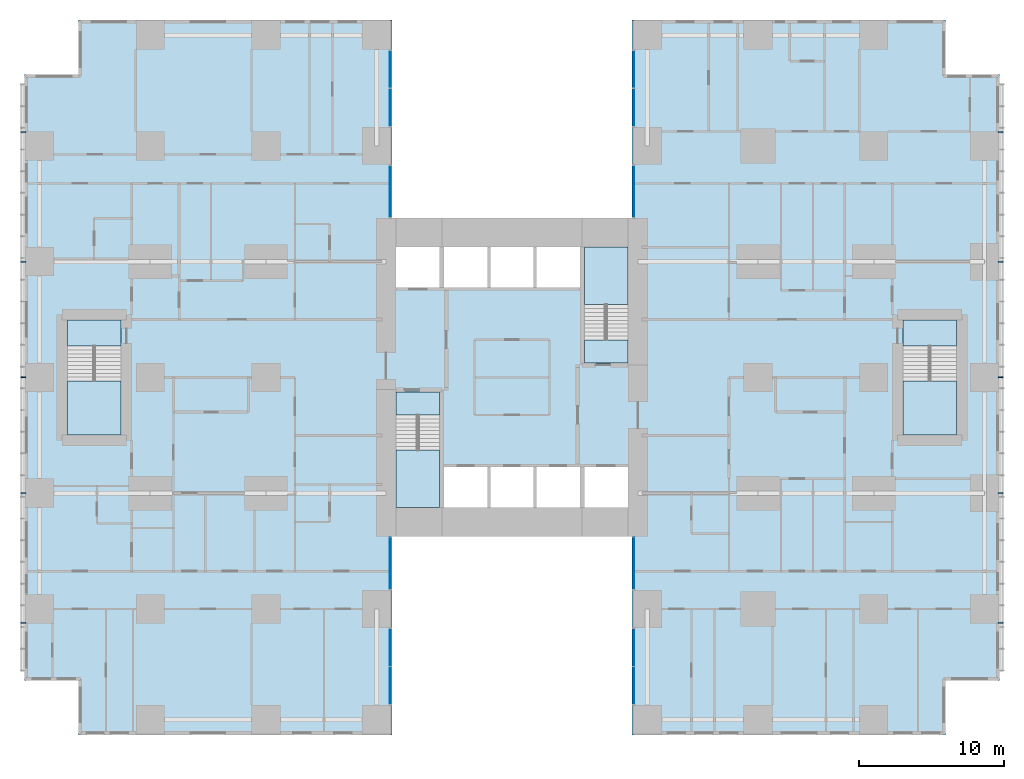
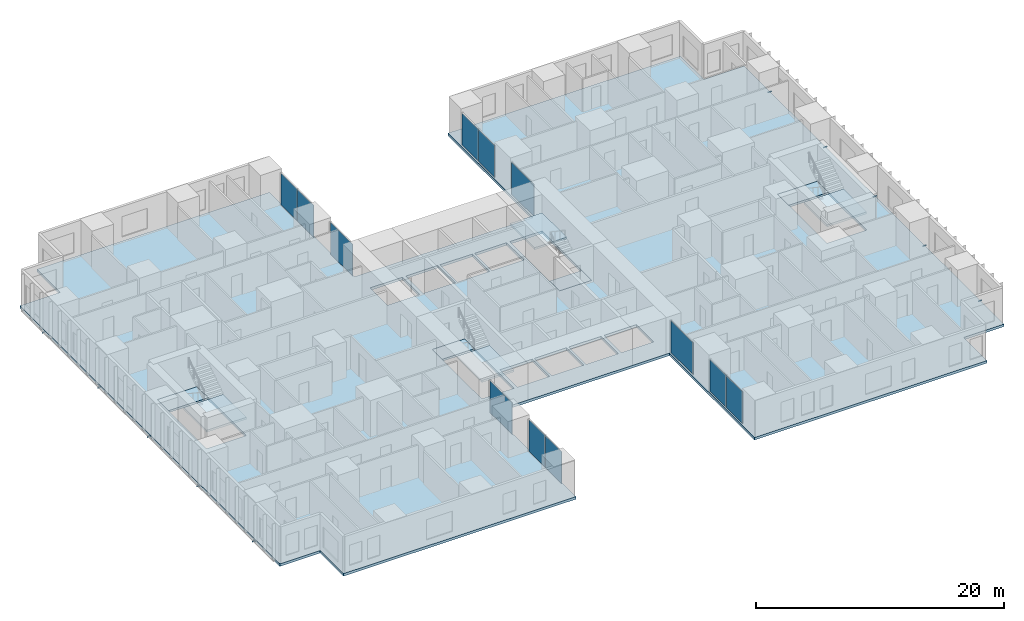
# One storey, part 7 of 20: 12 plates, 10 members, 9 slabs, 12 elements without a shape of their own.
"""IFC4 building model written with IfcOpenShell, lengths in metres."""

from ifc_helpers import new_model, si_unit, direction, frame, origin, origin_2d, place, context, subcontext, project, spatial, polyline, rectangle, hollow_rectangle, outline, extrude, material, layer, layer_set, material_profile, profile_set, type_object, element, aggregate, save


model = new_model("IFC4")

# Units and contexts
model_context = context("Model", 3, precision=1e-05, world=origin(), true_north=direction((0.0, 1.0)))
body_context = subcontext(model_context, "Body", "Model", "MODEL_VIEW")
ifc_project = project(units=[si_unit("LENGTHUNIT", "METRE"), si_unit("AREAUNIT", "SQUARE_METRE"), si_unit("VOLUMEUNIT", "CUBIC_METRE"), si_unit("PLANEANGLEUNIT", "RADIAN"), si_unit("MASSUNIT", "GRAM", prefix="KILO")], contexts=[model_context])

# Site, building, storey
site_placement = place(None, origin())
site = spatial("IfcSite", under=ifc_project, at=site_placement, CompositionType="ELEMENT")
building_placement = place(site_placement, origin())
building = spatial("IfcBuilding", under=site, at=building_placement, Name="Cleftline Residences", CompositionType="ELEMENT")
storey_placement = place(building_placement, frame((0.0, 0.0, 87.199951171875)))
storey = spatial("IfcBuildingStorey", under=building, at=storey_placement, Name="L22", CompositionType="ELEMENT", Elevation=87.199951171875)

# Members
ifc_material_1 = material(Name="Steel S355, hot-dip galvanised", Category="steel")
ifc_material_profile = material_profile(ifc_material_1, hollow_rectangle(XDim=0.10009765625, YDim=0.10009765625, WallThickness=0.008056640625, InnerFilletRadius=0.008056640625, OuterFilletRadius=0.011962890625, at=origin_2d()))
ifc_profile_set = profile_set([ifc_material_profile], Name="Steel S355, hot-dip galvanised")
member_type = type_object("IfcMemberType", Name="BAGUETTE BRACKET SHS 100X100X8", PredefinedType="USERDEFINED", material=ifc_profile_set)
for number, where, z_axis, x_axis, name in (
    (1, (66.60009765625, 7.050048828125, -0.14990234375), (1.0, 0.0, 0.0), (0.0, 1.0, 0.0), "Baguette bracket"),
    (2, (66.60009765625, 16.0, -0.14990234375), (1.0, 0.0, 0.0), (0.0, 1.0, 0.0), "Baguette bracket"),
    (3, (66.60009765625, 24.0, -0.14990234375), (1.0, 0.0, 0.0), (0.0, 1.0, 0.0), "Baguette bracket"),
    (4, (66.60009765625, 32.0, -0.14990234375), (1.0, 0.0, 0.0), (0.0, 1.0, 0.0), "Baguette bracket"),
    (5, (66.60009765625, 40.949951171875, -0.14990234375), (1.0, 0.0, 0.0), (0.0, 1.0, 0.0), "Baguette bracket"),
    (6, (-0.60009765625, 40.949951171875, -0.14990234375), (-1.0, 0.0, 0.0), (0.0, -1.0, 0.0), "Baguette bracket"),
    (7, (-0.60009765625, 32.0, -0.14990234375), (-1.0, 0.0, 0.0), (0.0, -1.0, 0.0), "Baguette bracket"),
    (8, (-0.60009765625, 24.0, -0.14990234375), (-1.0, 0.0, 0.0), (0.0, -1.0, 0.0), "Baguette bracket"),
    (9, (-0.60009765625, 16.0, -0.14990234375), (-1.0, 0.0, 0.0), (0.0, -1.0, 0.0), "Baguette bracket"),
    (10, (-0.60009765625, 7.050048828125, -0.14990234375), (-1.0, 0.0, 0.0), (0.0, -1.0, 0.0), "Baguette bracket"),
):
    element("IfcMember", number, at=place(storey_placement, frame(where, z_axis=z_axis, x_axis=x_axis)), inside=storey, type_object=member_type, Name=name, ObjectType="BAGUETTE BRACKET", PredefinedType="USERDEFINED", context=body_context, shape_type="SweptSolid", body=[
        extrude(hollow_rectangle(XDim=0.10009765625, YDim=0.10009765625, WallThickness=0.008056640625, InnerFilletRadius=0.008056640625, OuterFilletRadius=0.011962890625, at=origin_2d()), origin(), (0.0, 0.0, 1.0), 0.349853515625),
    ])

# Curtain wall, plate
ifc_material_2 = material(Name="Aluminium framed curtain wall", Category="aluminium")
ifc_layer_1 = layer(ifc_material_2, 0.199951171875)
ifc_layer_set_1 = layer_set([ifc_layer_1], Name="CW1 CLEFT GLAZING")
curtain_wall_type = type_object("IfcCurtainWallType", Name="CW1 CLEFT GLAZING", PredefinedType="NOTDEFINED", material=ifc_layer_set_1)
curtain_wall_1_placement = place(storey_placement, origin())
curtain_wall_1 = element("IfcCurtainWall", 11, at=curtain_wall_1_placement, inside=storey, type_object=curtain_wall_type, Name="Curtain wall CW1", PredefinedType="NOTDEFINED")
ifc_material_3 = material(Name="Laminated clear glass", Category="glass")
ifc_layer_2 = layer(ifc_material_3, 0.028076171875)
ifc_layer_set_2 = layer_set([ifc_layer_2], Name="CW1 GLASS PANEL")
plate_type_1 = type_object("IfcPlateType", Name="CW1 GLASS PANEL", PredefinedType="CURTAIN_PANEL", material=ifc_layer_set_2)
plate_1_placement = place(storey_placement, frame((24.574951171875, 5.347412109375, 0.06005859375), z_axis=(0.0, 0.0, 1.0), x_axis=(0.0, 1.0, 0.0)))
plate_1 = element("IfcPlate", 12, at=plate_1_placement, type_object=plate_type_1, Name="CW1 panel 2.1", PredefinedType="CURTAIN_PANEL", context=body_context, shape_type="SweptSolid", body=[
    extrude(rectangle(XDim=2.5849609375, YDim=0.028076171875, at=origin_2d()), origin(), (0.0, 0.0, 1.0), 3.1298828125),
])

curtain_wall_2_placement = place(storey_placement, origin())
curtain_wall_2 = element("IfcCurtainWall", 13, at=curtain_wall_2_placement, inside=storey, type_object=curtain_wall_type, Name="Curtain wall CW1", PredefinedType="NOTDEFINED")
plate_2_placement = place(storey_placement, frame((41.425048828125, 5.347412109375, 0.06005859375), z_axis=(0.0, 0.0, 1.0), x_axis=(0.0, -1.0, 0.0)))
plate_2 = element("IfcPlate", 14, at=plate_2_placement, type_object=plate_type_1, Name="CW1 panel 1.1", PredefinedType="CURTAIN_PANEL", context=body_context, shape_type="SweptSolid", body=[
    extrude(rectangle(XDim=2.5849609375, YDim=0.028076171875, at=origin_2d()), origin(), (0.0, 0.0, 1.0), 3.1298828125),
])

curtain_wall_3_placement = place(storey_placement, origin())
curtain_wall_3 = element("IfcCurtainWall", 15, at=curtain_wall_3_placement, inside=storey, type_object=curtain_wall_type, Name="Curtain wall CW1", PredefinedType="NOTDEFINED")
plate_3_placement = place(storey_placement, frame((41.425048828125, 45.297607421875, 0.06005859375), z_axis=(0.0, 0.0, 1.0), x_axis=(0.0, -1.0, 0.0)))
plate_3 = element("IfcPlate", 16, at=plate_3_placement, type_object=plate_type_1, Name="CW1 panel 1.1", PredefinedType="CURTAIN_PANEL", context=body_context, shape_type="SweptSolid", body=[
    extrude(rectangle(XDim=2.5849609375, YDim=0.028076171875, at=origin_2d()), origin(), (0.0, 0.0, 1.0), 3.1298828125),
])

curtain_wall_4_placement = place(storey_placement, origin())
curtain_wall_4 = element("IfcCurtainWall", 17, at=curtain_wall_4_placement, inside=storey, type_object=curtain_wall_type, Name="Curtain wall CW1", PredefinedType="NOTDEFINED")
plate_4_placement = place(storey_placement, frame((41.425048828125, 36.85009765625, 0.06005859375), z_axis=(0.0, 0.0, 1.0), x_axis=(0.0, -1.0, 0.0)))
plate_4 = element("IfcPlate", 18, at=plate_4_placement, type_object=plate_type_1, Name="CW1 panel 1.1", PredefinedType="CURTAIN_PANEL", context=body_context, shape_type="SweptSolid", body=[
    extrude(rectangle(XDim=3.580078125, YDim=0.028076171875, at=origin_2d()), origin(), (0.0, 0.0, 1.0), 3.1298828125),
])
aggregate(curtain_wall_4, [plate_4])

curtain_wall_5_placement = place(storey_placement, origin())
curtain_wall_5 = element("IfcCurtainWall", 19, at=curtain_wall_5_placement, inside=storey, type_object=curtain_wall_type, Name="Curtain wall CW1", PredefinedType="NOTDEFINED")
plate_5_placement = place(storey_placement, frame((24.574951171875, 36.85009765625, 0.06005859375), z_axis=(0.0, 0.0, 1.0), x_axis=(0.0, 1.0, 0.0)))
plate_5 = element("IfcPlate", 20, at=plate_5_placement, type_object=plate_type_1, Name="CW1 panel 1.1", PredefinedType="CURTAIN_PANEL", context=body_context, shape_type="SweptSolid", body=[
    extrude(rectangle(XDim=3.580078125, YDim=0.028076171875, at=origin_2d()), origin(), (0.0, 0.0, 1.0), 3.1298828125),
])
aggregate(curtain_wall_5, [plate_5])

curtain_wall_6_placement = place(storey_placement, origin())
curtain_wall_6 = element("IfcCurtainWall", 21, at=curtain_wall_6_placement, inside=storey, type_object=curtain_wall_type, Name="Curtain wall CW1", PredefinedType="NOTDEFINED")
plate_6_placement = place(storey_placement, frame((24.574951171875, 45.297607421875, 0.06005859375), z_axis=(0.0, 0.0, 1.0), x_axis=(0.0, 1.0, 0.0)))
plate_6 = element("IfcPlate", 22, at=plate_6_placement, type_object=plate_type_1, Name="CW1 panel 2.1", PredefinedType="CURTAIN_PANEL", context=body_context, shape_type="SweptSolid", body=[
    extrude(rectangle(XDim=2.5849609375, YDim=0.028076171875, at=origin_2d()), origin(), (0.0, 0.0, 1.0), 3.1298828125),
])

# Plate
ifc_material_4 = material(Name="Insulated aluminium panel", Category="aluminium")
ifc_layer_3 = layer(ifc_material_4, 0.028076171875)
ifc_layer_set_3 = layer_set([ifc_layer_3], Name="CW1 INSULATED PANEL")
plate_type_2 = type_object("IfcPlateType", Name="CW1 INSULATED PANEL", PredefinedType="USERDEFINED", material=ifc_layer_set_3)
plate_7_placement = place(storey_placement, frame((24.574951171875, 2.702392578125, 0.06005859375), z_axis=(0.0, 0.0, 1.0), x_axis=(0.0, 1.0, 0.0)))
plate_7 = element("IfcPlate", 23, at=plate_7_placement, type_object=plate_type_2, Name="CW1 panel 1.1", ObjectType="INSULATED PANEL", PredefinedType="USERDEFINED", context=body_context, shape_type="SweptSolid", body=[
    extrude(rectangle(XDim=2.5849609375, YDim=0.028076171875, at=origin_2d()), origin(), (0.0, 0.0, 1.0), 3.1298828125),
])

aggregate(curtain_wall_1, [plate_7, plate_1])

# Curtain wall, plate
curtain_wall_7_placement = place(storey_placement, origin())
curtain_wall_7 = element("IfcCurtainWall", 24, at=curtain_wall_7_placement, inside=storey, type_object=curtain_wall_type, Name="Curtain wall CW1", PredefinedType="NOTDEFINED")
plate_8_placement = place(storey_placement, frame((24.574951171875, 11.14990234375, 0.06005859375), z_axis=(0.0, 0.0, 1.0), x_axis=(0.0, 1.0, 0.0)))
plate_8 = element("IfcPlate", 25, at=plate_8_placement, type_object=plate_type_2, Name="CW1 panel 1.1", ObjectType="INSULATED PANEL", PredefinedType="USERDEFINED", context=body_context, shape_type="SweptSolid", body=[
    extrude(rectangle(XDim=3.580078125, YDim=0.028076171875, at=origin_2d()), origin(), (0.0, 0.0, 1.0), 3.1298828125),
])
aggregate(curtain_wall_7, [plate_8])

curtain_wall_8_placement = place(storey_placement, origin())
curtain_wall_8 = element("IfcCurtainWall", 26, at=curtain_wall_8_placement, inside=storey, type_object=curtain_wall_type, Name="Curtain wall CW1", PredefinedType="NOTDEFINED")
plate_9_placement = place(storey_placement, frame((41.425048828125, 11.14990234375, 0.06005859375), z_axis=(0.0, 0.0, 1.0), x_axis=(0.0, -1.0, 0.0)))
plate_9 = element("IfcPlate", 27, at=plate_9_placement, type_object=plate_type_2, Name="CW1 panel 1.1", ObjectType="INSULATED PANEL", PredefinedType="USERDEFINED", context=body_context, shape_type="SweptSolid", body=[
    extrude(rectangle(XDim=3.580078125, YDim=0.028076171875, at=origin_2d()), origin(), (0.0, 0.0, 1.0), 3.1298828125),
])
aggregate(curtain_wall_8, [plate_9])

# Plate
plate_10_placement = place(storey_placement, frame((41.425048828125, 2.702392578125, 0.06005859375), z_axis=(0.0, 0.0, 1.0), x_axis=(0.0, -1.0, 0.0)))
plate_10 = element("IfcPlate", 28, at=plate_10_placement, type_object=plate_type_2, Name="CW1 panel 2.1", ObjectType="INSULATED PANEL", PredefinedType="USERDEFINED", context=body_context, shape_type="SweptSolid", body=[
    extrude(rectangle(XDim=2.5849609375, YDim=0.028076171875, at=origin_2d()), origin(), (0.0, 0.0, 1.0), 3.1298828125),
])

aggregate(curtain_wall_2, [plate_2, plate_10])

plate_11_placement = place(storey_placement, frame((41.425048828125, 42.652587890625, 0.06005859375), z_axis=(0.0, 0.0, 1.0), x_axis=(0.0, -1.0, 0.0)))
plate_11 = element("IfcPlate", 29, at=plate_11_placement, type_object=plate_type_2, Name="CW1 panel 2.1", ObjectType="INSULATED PANEL", PredefinedType="USERDEFINED", context=body_context, shape_type="SweptSolid", body=[
    extrude(rectangle(XDim=2.5849609375, YDim=0.028076171875, at=origin_2d()), origin(), (0.0, 0.0, 1.0), 3.1298828125),
])

aggregate(curtain_wall_3, [plate_3, plate_11])

plate_12_placement = place(storey_placement, frame((24.574951171875, 42.652587890625, 0.06005859375), z_axis=(0.0, 0.0, 1.0), x_axis=(0.0, 1.0, 0.0)))
plate_12 = element("IfcPlate", 30, at=plate_12_placement, type_object=plate_type_2, Name="CW1 panel 1.1", ObjectType="INSULATED PANEL", PredefinedType="USERDEFINED", context=body_context, shape_type="SweptSolid", body=[
    extrude(rectangle(XDim=2.5849609375, YDim=0.028076171875, at=origin_2d()), origin(), (0.0, 0.0, 1.0), 3.1298828125),
])

aggregate(curtain_wall_6, [plate_12, plate_6])

# Slab
ifc_material_5 = material(Name="Concrete B45", Category="concrete")
ifc_layer_4 = layer(ifc_material_5, 0.25)
ifc_layer_set_4 = layer_set([ifc_layer_4], Name="FLOOR SLAB 250")
slab_type_1 = type_object("IfcSlabType", Name="FLOOR SLAB 250", PredefinedType="FLOOR", material=ifc_layer_set_4)
slab_1_placement = place(storey_placement, frame((0.0, 0.0, -0.25)))
element("IfcSlab", 31, at=slab_1_placement, inside=storey, type_object=slab_type_1, Name="Floor slab L22", PredefinedType="FLOOR", context=body_context, shape_type="SweptSolid", body=[
    extrude(outline(polyline([(24.699951171875, 13.0), (41.300048828125, 13.0), (41.300048828125, -0.699951171875), (62.949951171875, -0.699951171875), (62.949951171875, 3.050048828125), (66.699951171875, 3.050048828125), (66.699951171875, 44.949951171875), (62.949951171875, 44.949951171875), (62.949951171875, 48.699951171875), (41.300048828125, 48.699951171875), (41.300048828125, 35.0), (24.699951171875, 35.0), (24.699951171875, 48.699951171875), (3.050048828125, 48.699951171875), (3.050048828125, 44.949951171875), (-0.699951171875, 44.949951171875), (-0.699951171875, 3.050048828125), (3.050048828125, 3.050048828125), (3.050048828125, -0.699951171875), (24.699951171875, -0.699951171875), (24.699951171875, 13.0)]), holes=[polyline([(28.0, 15.0), (28.0, 23.0), (25.0, 23.0), (25.0, 15.0), (28.0, 15.0)]), polyline([(41.0, 25.0), (41.0, 33.0), (38.0, 33.0), (38.0, 25.0), (41.0, 25.0)]), polyline([(28.0, 30.199951171875), (28.0, 33.0), (25.0, 33.0), (25.0, 30.199951171875), (28.0, 30.199951171875)]), polyline([(41.0, 15.0), (41.0, 17.800048828125), (38.0, 17.800048828125), (38.0, 15.0), (41.0, 15.0)]), polyline([(31.300048828125, 15.0), (31.300048828125, 17.800048828125), (28.300048828125, 17.800048828125), (28.300048828125, 15.0), (31.300048828125, 15.0)]), polyline([(34.5, 15.0), (34.5, 17.800048828125), (31.5, 17.800048828125), (31.5, 15.0), (34.5, 15.0)]), polyline([(37.699951171875, 15.0), (37.699951171875, 17.800048828125), (34.699951171875, 17.800048828125), (34.699951171875, 15.0), (37.699951171875, 15.0)]), polyline([(31.300048828125, 30.199951171875), (31.300048828125, 33.0), (28.300048828125, 33.0), (28.300048828125, 30.199951171875), (31.300048828125, 30.199951171875)]), polyline([(34.5, 30.199951171875), (34.5, 33.0), (31.5, 33.0), (31.5, 30.199951171875), (34.5, 30.199951171875)]), polyline([(37.699951171875, 30.199951171875), (37.699951171875, 33.0), (34.699951171875, 33.0), (34.699951171875, 30.199951171875), (37.699951171875, 30.199951171875)]), polyline([(63.72509765625, 20.02490234375), (63.72509765625, 27.97509765625), (60.02490234375, 27.97509765625), (60.02490234375, 20.02490234375), (63.72509765625, 20.02490234375)]), polyline([(5.97509765625, 20.02490234375), (5.97509765625, 27.97509765625), (2.27490234375, 27.97509765625), (2.27490234375, 20.02490234375), (5.97509765625, 20.02490234375)])]), origin(), (0.0, 0.0, 1.0), 0.25),
])

# Stair, slabs
ifc_material_6 = material(Name="Concrete B45, stone treads", Category="masonry")
stair_type_1 = type_object("IfcStairType", Name="STAIR A 1450 WIDE 180 RISER", PredefinedType="HALF_TURN_STAIR", material=ifc_material_6)
stair_1_placement = place(storey_placement, origin())
stair_1 = element("IfcStair", 32, at=stair_1_placement, inside=storey, type_object=stair_type_1, Name="Stair A L22", PredefinedType="HALF_TURN_STAIR")
ifc_material_7 = material(Name="Concrete B45", Category="concrete")
ifc_layer_5 = layer(ifc_material_7, 0.199951171875)
ifc_layer_set_5 = layer_set([ifc_layer_5], Name="STAIR LANDING 200")
slab_type_2 = type_object("IfcSlabType", Name="STAIR LANDING 200", PredefinedType="LANDING", material=ifc_layer_set_5)
slab_2_placement = place(storey_placement, frame((0.0, 0.0, -0.199951171875)))
slab_2 = element("IfcSlab", 33, at=slab_2_placement, type_object=slab_type_2, Name="ST-A landing 1", PredefinedType="LANDING", context=body_context, shape_type="SweptSolid", body=[
    extrude(outline(polyline([(25.0, 21.39990234375), (28.0, 21.39990234375), (28.0, 23.0), (25.0, 23.0), (25.0, 21.39990234375)])), origin(), (0.0, 0.0, 1.0), 0.199951171875),
])
slab_3_placement = place(storey_placement, frame((0.0, 0.0, 1.60009765625)))
slab_3 = element("IfcSlab", 34, at=slab_3_placement, type_object=slab_type_2, Name="ST-A landing 2", PredefinedType="LANDING", context=body_context, shape_type="SweptSolid", body=[
    extrude(outline(polyline([(25.0, 15.0), (28.0, 15.0), (28.0, 18.969970703125), (25.0, 18.969970703125), (25.0, 15.0)])), origin(), (0.0, 0.0, 1.0), 0.199951171875),
])
aggregate(stair_1, [slab_2, slab_3])

ifc_material_8 = material(Name="Concrete B45, stone treads", Category="masonry")
stair_type_2 = type_object("IfcStairType", Name="STAIR B 1450 WIDE 180 RISER", PredefinedType="HALF_TURN_STAIR", material=ifc_material_8)
stair_2_placement = place(storey_placement, origin())
stair_2 = element("IfcStair", 35, at=stair_2_placement, inside=storey, type_object=stair_type_2, Name="Stair B L22", PredefinedType="HALF_TURN_STAIR")
slab_4_placement = place(storey_placement, frame((0.0, 0.0, -0.199951171875)))
slab_4 = element("IfcSlab", 36, at=slab_4_placement, type_object=slab_type_2, Name="ST-B landing 1", PredefinedType="LANDING", context=body_context, shape_type="SweptSolid", body=[
    extrude(outline(polyline([(38.0, 25.0), (41.0, 25.0), (41.0, 26.60009765625), (38.0, 26.60009765625), (38.0, 25.0)])), origin(), (0.0, 0.0, 1.0), 0.199951171875),
])
slab_5_placement = place(storey_placement, frame((0.0, 0.0, 1.60009765625)))
slab_5 = element("IfcSlab", 37, at=slab_5_placement, type_object=slab_type_2, Name="ST-B landing 2", PredefinedType="LANDING", context=body_context, shape_type="SweptSolid", body=[
    extrude(outline(polyline([(38.0, 29.030029296875), (41.0, 29.030029296875), (41.0, 33.0), (38.0, 33.0), (38.0, 29.030029296875)])), origin(), (0.0, 0.0, 1.0), 0.199951171875),
])
aggregate(stair_2, [slab_4, slab_5])

ifc_material_9 = material(Name="Concrete B45, stone treads", Category="masonry")
stair_type_3 = type_object("IfcStairType", Name="STAIR E 1800 WIDE 180 RISER", PredefinedType="HALF_TURN_STAIR", material=ifc_material_9)
stair_3_placement = place(storey_placement, origin())
stair_3 = element("IfcStair", 38, at=stair_3_placement, inside=storey, type_object=stair_type_3, Name="Stair E L22", PredefinedType="HALF_TURN_STAIR")
slab_6_placement = place(storey_placement, frame((0.0, 0.0, -0.199951171875)))
slab_6 = element("IfcSlab", 39, at=slab_6_placement, type_object=slab_type_2, Name="ST-E landing 1", PredefinedType="LANDING", context=body_context, shape_type="SweptSolid", body=[
    extrude(outline(polyline([(60.02490234375, 26.175048828125), (63.72509765625, 26.175048828125), (63.72509765625, 27.97509765625), (60.02490234375, 27.97509765625), (60.02490234375, 26.175048828125)])), origin(), (0.0, 0.0, 1.0), 0.199951171875),
])
slab_7_placement = place(storey_placement, frame((0.0, 0.0, 1.60009765625)))
slab_7 = element("IfcSlab", 40, at=slab_7_placement, type_object=slab_type_2, Name="ST-E landing 2", PredefinedType="LANDING", context=body_context, shape_type="SweptSolid", body=[
    extrude(outline(polyline([(60.02490234375, 20.02490234375), (63.72509765625, 20.02490234375), (63.72509765625, 23.7451171875), (60.02490234375, 23.7451171875), (60.02490234375, 20.02490234375)])), origin(), (0.0, 0.0, 1.0), 0.199951171875),
])
aggregate(stair_3, [slab_6, slab_7])

ifc_material_10 = material(Name="Concrete B45, stone treads", Category="masonry")
stair_type_4 = type_object("IfcStairType", Name="STAIR W 1800 WIDE 180 RISER", PredefinedType="HALF_TURN_STAIR", material=ifc_material_10)
stair_4_placement = place(storey_placement, origin())
stair_4 = element("IfcStair", 41, at=stair_4_placement, inside=storey, type_object=stair_type_4, Name="Stair W L22", PredefinedType="HALF_TURN_STAIR")
slab_8_placement = place(storey_placement, frame((0.0, 0.0, -0.199951171875)))
slab_8 = element("IfcSlab", 42, at=slab_8_placement, type_object=slab_type_2, Name="ST-W landing 1", PredefinedType="LANDING", context=body_context, shape_type="SweptSolid", body=[
    extrude(outline(polyline([(2.27490234375, 26.175048828125), (5.97509765625, 26.175048828125), (5.97509765625, 27.97509765625), (2.27490234375, 27.97509765625), (2.27490234375, 26.175048828125)])), origin(), (0.0, 0.0, 1.0), 0.199951171875),
])
slab_9_placement = place(storey_placement, frame((0.0, 0.0, 1.60009765625)))
slab_9 = element("IfcSlab", 43, at=slab_9_placement, type_object=slab_type_2, Name="ST-W landing 2", PredefinedType="LANDING", context=body_context, shape_type="SweptSolid", body=[
    extrude(outline(polyline([(2.27490234375, 20.02490234375), (5.97509765625, 20.02490234375), (5.97509765625, 23.7451171875), (2.27490234375, 23.7451171875), (2.27490234375, 20.02490234375)])), origin(), (0.0, 0.0, 1.0), 0.199951171875),
])
aggregate(stair_4, [slab_8, slab_9])

save(model, "model.ifc")
